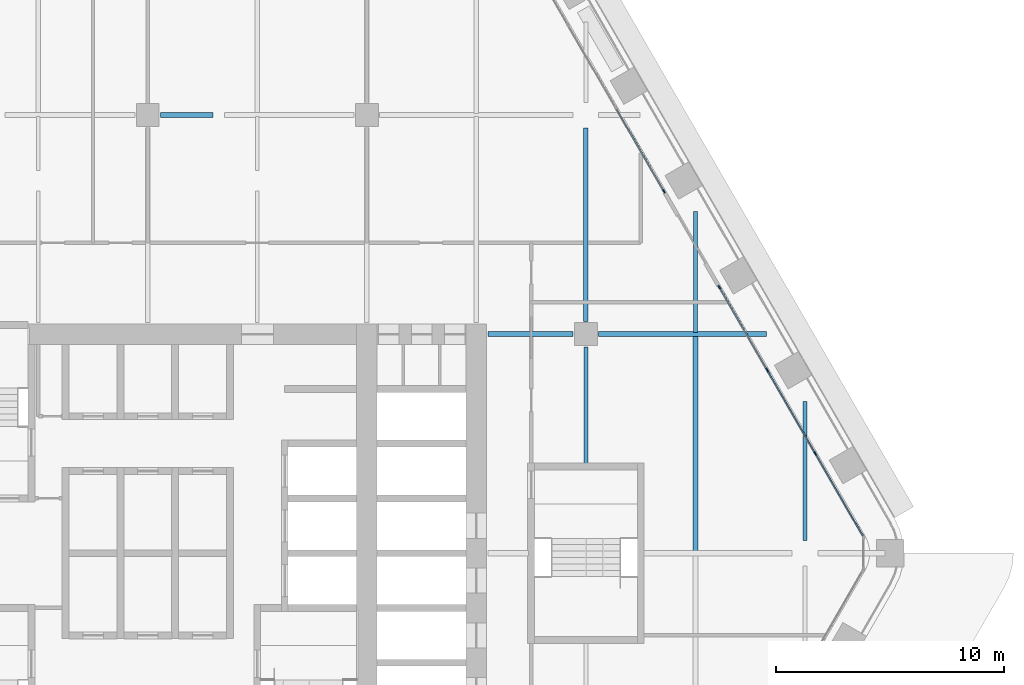
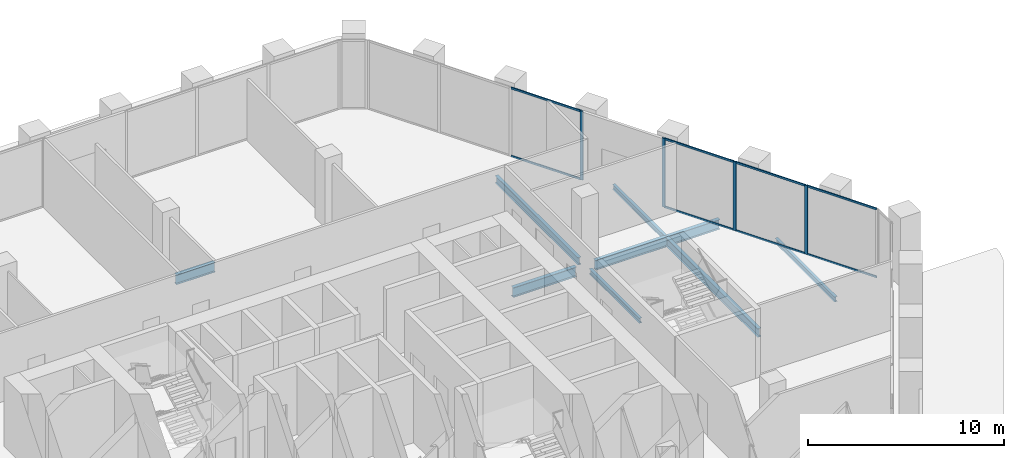
# One storey, part 8 of 23: 12 members, 8 beams, 2 elements without a shape of their own.
"""IFC4 building model written with IfcOpenShell, lengths in metres."""

from ifc_helpers import new_model, si_unit, direction, frame, origin, origin_2d, place, context, subcontext, project, spatial, rectangle, i_section, extrude, material, material_profile, profile_set, type_object, element, aggregate, save


model = new_model("IFC4")

# Units and contexts
model_context = context("Model", 3, precision=1e-05, world=origin(), true_north=direction((0.0, 1.0)))
body_context = subcontext(model_context, "Body", "Model", "MODEL_VIEW")
ifc_project = project(units=[si_unit("LENGTHUNIT", "METRE"), si_unit("AREAUNIT", "SQUARE_METRE"), si_unit("VOLUMEUNIT", "CUBIC_METRE"), si_unit("PLANEANGLEUNIT", "RADIAN"), si_unit("MASSUNIT", "GRAM", prefix="KILO")], contexts=[model_context])

# Site, building, storey
site_placement = place(None, origin())
site = spatial("IfcSite", under=ifc_project, at=site_placement, CompositionType="ELEMENT")
building_placement = place(site_placement, origin())
building = spatial("IfcBuilding", under=site, at=building_placement, Name="Kolab Exchange Tower", CompositionType="ELEMENT")
storey_placement = place(building_placement, frame((0.0, 0.0, 77.89990234375)))
storey = spatial("IfcBuildingStorey", under=building, at=storey_placement, Name="L14", CompositionType="ELEMENT", Elevation=77.89990234375)

# Beams
ifc_material_1 = material(Name="Steel S355", Category="steel")
ifc_material_profile_1 = material_profile(ifc_material_1, i_section(OverallWidth=0.1650390625, OverallDepth=0.31005859375, WebThickness=0.005859375, FlangeThickness=0.009765625, at=origin_2d()), Name="W310X39")
ifc_profile_set_1 = profile_set([ifc_material_profile_1], Name="Steel S355")
beam_type_1 = type_object("IfcBeamType", Name="FLOOR BEAM W310X39", PredefinedType="BEAM", material=ifc_profile_set_1)
beam_1_placement = place(storey_placement, frame((19.199951171875, 3.909912109375, -0.35498046875), z_axis=(0.0, 1.0, 0.0), x_axis=(-1.0, 0.0, 0.0)))
element("IfcBeam", 1, at=beam_1_placement, inside=storey, type_object=beam_type_1, Name="beam/L14/fr/051", PredefinedType="BEAM", context=body_context, shape_type="SweptSolid", body=[
    extrude(i_section(OverallWidth=0.1650390625, OverallDepth=0.31005859375, WebThickness=0.005859375, FlangeThickness=0.009765625, at=origin_2d()), origin(), (0.0, 0.0, 1.0), 5.130126953125),
])
beam_2_placement = place(storey_placement, frame((24.0, 9.674072265625, -0.35498046875), z_axis=(0.0, 1.0, 0.0), x_axis=(-1.0, 0.0, 0.0)))
element("IfcBeam", 2, at=beam_2_placement, inside=storey, type_object=beam_type_1, Name="beam/L14/fr/057", PredefinedType="BEAM", context=body_context, shape_type="SweptSolid", body=[
    extrude(i_section(OverallWidth=0.1650390625, OverallDepth=0.31005859375, WebThickness=0.005859375, FlangeThickness=0.009765625, at=origin_2d()), origin(), (0.0, 0.0, 1.0), 5.293701171875),
])
beam_3_placement = place(storey_placement, frame((28.800048828125, 0.56005859375, -0.35498046875), z_axis=(0.0, 1.0, 0.0), x_axis=(-1.0, 0.0, 0.0)))
element("IfcBeam", 3, at=beam_3_placement, inside=storey, type_object=beam_type_1, Name="beam/L14/fr/059", PredefinedType="BEAM", context=body_context, shape_type="SweptSolid", body=[
    extrude(i_section(OverallWidth=0.1650390625, OverallDepth=0.31005859375, WebThickness=0.005859375, FlangeThickness=0.009765625, at=origin_2d()), origin(), (0.0, 0.0, 1.0), 6.09375),
])
ifc_material_profile_2 = material_profile(ifc_material_1, i_section(OverallWidth=0.18994140625, OverallDepth=0.45703125, WebThickness=0.009033203125, FlangeThickness=0.014404296875, at=origin_2d()), Name="W460X74")
ifc_profile_set_2 = profile_set([ifc_material_profile_2], Name="Steel S355")
beam_type_2 = type_object("IfcBeamType", Name="FLOOR BEAM W460X74", PredefinedType="BEAM", material=ifc_profile_set_2)
beam_4_placement = place(storey_placement, frame((19.199951171875, 10.159912109375, -0.428466796875), z_axis=(0.0, 1.0, 0.0), x_axis=(-1.0, 0.0, 0.0)))
element("IfcBeam", 4, at=beam_4_placement, inside=storey, type_object=beam_type_2, Name="beam/L14/fr/052", PredefinedType="BEAM", context=body_context, shape_type="SweptSolid", body=[
    extrude(i_section(OverallWidth=0.18994140625, OverallDepth=0.45703125, WebThickness=0.009033203125, FlangeThickness=0.014404296875, at=origin_2d()), origin(), (0.0, 0.0, 1.0), 8.47998046875),
])
ifc_material_profile_3 = material_profile(ifc_material_1, i_section(OverallWidth=0.208984375, OverallDepth=0.532958984375, WebThickness=0.01025390625, FlangeThickness=0.015625, at=origin_2d()), Name="W530X92")
ifc_profile_set_3 = profile_set([ifc_material_profile_3], Name="Steel S355")
beam_type_3 = type_object("IfcBeamType", Name="FLOOR BEAM W530X92", PredefinedType="BEAM", material=ifc_profile_set_3)
beam_5_placement = place(storey_placement, frame((24.0, 0.073974609375, -0.46630859375), z_axis=(0.0, 1.0, 0.0), x_axis=(-1.0, 0.0, 0.0)))
element("IfcBeam", 5, at=beam_5_placement, inside=storey, type_object=beam_type_3, Name="beam/L14/fr/056", PredefinedType="BEAM", context=body_context, shape_type="SweptSolid", body=[
    extrude(i_section(OverallWidth=0.208984375, OverallDepth=0.532958984375, WebThickness=0.01025390625, FlangeThickness=0.015625, at=origin_2d()), origin(), (0.0, 0.0, 1.0), 9.451904296875),
])
ifc_material_profile_4 = material_profile(ifc_material_1, i_section(OverallWidth=0.22802734375, OverallDepth=0.60791015625, WebThickness=0.01123046875, FlangeThickness=0.017333984375, at=origin_2d()), Name="W610X113")
ifc_profile_set_4 = profile_set([ifc_material_profile_4], Name="Steel S355")
beam_type_4 = type_object("IfcBeamType", Name="FLOOR GIRDER W610X113", PredefinedType="BEAM", material=ifc_profile_set_4)
beam_6_placement = place(storey_placement, frame((0.56005859375, 19.199951171875, -0.50390625), z_axis=(1.0, 0.0, 0.0), x_axis=(0.0, 1.0, 0.0)))
element("IfcBeam", 6, at=beam_6_placement, inside=storey, type_object=beam_type_4, Name="beam/L14/gd/016", PredefinedType="BEAM", context=body_context, shape_type="SweptSolid", body=[
    extrude(i_section(OverallWidth=0.22802734375, OverallDepth=0.60791015625, WebThickness=0.01123046875, FlangeThickness=0.017333984375, at=origin_2d()), origin(), (0.0, 0.0, 1.0), 2.290283203125),
])
beam_7_placement = place(storey_placement, frame((14.909912109375, 9.60009765625, -0.50390625), z_axis=(1.0, 0.0, 0.0), x_axis=(0.0, 1.0, 0.0)))
element("IfcBeam", 7, at=beam_7_placement, inside=storey, type_object=beam_type_4, Name="beam/L14/gd/023", PredefinedType="BEAM", context=body_context, shape_type="SweptSolid", body=[
    extrude(i_section(OverallWidth=0.22802734375, OverallDepth=0.60791015625, WebThickness=0.01123046875, FlangeThickness=0.017333984375, at=origin_2d()), origin(), (0.0, 0.0, 1.0), 3.72998046875),
])
beam_8_placement = place(storey_placement, frame((19.760009765625, 9.60009765625, -0.50390625), z_axis=(1.0, 0.0, 0.0), x_axis=(0.0, 1.0, 0.0)))
element("IfcBeam", 8, at=beam_8_placement, inside=storey, type_object=beam_type_4, Name="beam/L14/gd/026", PredefinedType="BEAM", context=body_context, shape_type="SweptSolid", body=[
    extrude(i_section(OverallWidth=0.22802734375, OverallDepth=0.60791015625, WebThickness=0.01123046875, FlangeThickness=0.017333984375, at=origin_2d()), origin(), (0.0, 0.0, 1.0), 7.35595703125),
])

# Curtain wall, member
ifc_material_2 = material(Name="Aluminium EN AW-6063 T6", Category="aluminium")
curtain_wall_type = type_object("IfcCurtainWallType", Name="UNITISED LOWER MID ZONE CURTAIN WALL", PredefinedType="NOTDEFINED", material=ifc_material_2)
curtain_wall_1_placement = place(storey_placement, origin())
curtain_wall_1 = element("IfcCurtainWall", 9, at=curtain_wall_1_placement, inside=storey, type_object=curtain_wall_type, Name="cw/L14/F2-1", PredefinedType="NOTDEFINED")
ifc_material_profile_5 = material_profile(ifc_material_2, rectangle(XDim=0.06005859375, YDim=0.179931640625, at=origin_2d()), Name="RECT 60X180")
ifc_profile_set_5 = profile_set([ifc_material_profile_5], Name="Aluminium EN AW-6063 T6")
member_type_1 = type_object("IfcMemberType", Name="UNITISED LOWER MID ZONE MULLION 60 X 180", PredefinedType="MULLION", material=ifc_profile_set_5)
member_1_placement = place(storey_placement, frame((22.61669921875, 15.86376953125, 0.0), z_axis=(0.0, 0.0, 1.0), x_axis=(0.866025393644, 0.500000017564, 0.0)))
member_1 = element("IfcMember", 10, at=member_1_placement, type_object=member_type_1, Name="CW2 mullion 4", PredefinedType="MULLION", context=body_context, shape_type="SweptSolid", body=[
    extrude(rectangle(XDim=0.06005859375, YDim=0.179931640625, at=origin_2d()), origin(), (0.0, 0.0, 1.0), 4.300048828125),
])

# Curtain wall, members
curtain_wall_2_placement = place(storey_placement, origin())
curtain_wall_2 = element("IfcCurtainWall", 11, at=curtain_wall_2_placement, inside=storey, type_object=curtain_wall_type, Name="cw/L14/F2-2", PredefinedType="NOTDEFINED")
member_2_placement = place(storey_placement, frame((25.046630859375, 11.65478515625, 0.0), z_axis=(0.0, 0.0, 1.0), x_axis=(0.866025427826, 0.499999958358, 0.0)))
member_2 = element("IfcMember", 12, at=member_2_placement, type_object=member_type_1, Name="CW2 mullion 1", PredefinedType="MULLION", context=body_context, shape_type="SweptSolid", body=[
    extrude(rectangle(XDim=0.06005859375, YDim=0.179931640625, at=origin_2d()), origin(), (0.0, 0.0, 1.0), 4.300048828125),
])
member_3_placement = place(storey_placement, frame((27.14306640625, 8.02392578125, 0.0), z_axis=(0.0, 0.0, 1.0), x_axis=(0.866025427826, 0.499999958358, 0.0)))
member_3 = element("IfcMember", 13, at=member_3_placement, type_object=member_type_1, Name="CW2 mullion 2", PredefinedType="MULLION", context=body_context, shape_type="SweptSolid", body=[
    extrude(rectangle(XDim=0.06005859375, YDim=0.179931640625, at=origin_2d()), origin(), (0.0, 0.0, 1.0), 4.300048828125),
])
member_4_placement = place(storey_placement, frame((29.25439453125, 4.366943359375, 0.0), z_axis=(0.0, 0.0, 1.0), x_axis=(0.866025427826, 0.499999958358, 0.0)))
member_4 = element("IfcMember", 14, at=member_4_placement, type_object=member_type_1, Name="CW2 mullion 3", PredefinedType="MULLION", context=body_context, shape_type="SweptSolid", body=[
    extrude(rectangle(XDim=0.06005859375, YDim=0.179931640625, at=origin_2d()), origin(), (0.0, 0.0, 1.0), 4.300048828125),
])

# Member
ifc_material_profile_6 = material_profile(ifc_material_2, rectangle(XDim=0.06005859375, YDim=0.1201171875, at=origin_2d()), Name="RECT 60X120")
ifc_profile_set_6 = profile_set([ifc_material_profile_6], Name="Aluminium EN AW-6063 T6")
member_type_2 = type_object("IfcMemberType", Name="UNITISED LOWER MID ZONE TRANSOM 60 X 120", PredefinedType="USERDEFINED", material=ifc_profile_set_6)
member_5_placement = place(storey_placement, frame((20.535400390625, 19.46875, 0.030029296875), z_axis=(0.499957688808, -0.866049830784, 0.0), x_axis=(0.866049830784, 0.499957688808, 0.0)))
member_5 = element("IfcMember", 15, at=member_5_placement, type_object=member_type_2, Name="CW2 transom 3.1", ObjectType="TRANSOM", PredefinedType="USERDEFINED", context=body_context, shape_type="SweptSolid", body=[
    extrude(rectangle(XDim=0.06005859375, YDim=0.1201171875, at=origin_2d()), origin(), (0.0, 0.0, 1.0), 4.132568359375),
])

member_6_placement = place(storey_placement, frame((20.535400390625, 19.46875, 4.27001953125), z_axis=(0.499957688808, -0.866049830784, 0.0), x_axis=(0.866049830784, 0.499957688808, 0.0)))
member_6 = element("IfcMember", 16, at=member_6_placement, type_object=member_type_2, Name="CW2 transom 3.2", ObjectType="TRANSOM", PredefinedType="USERDEFINED", context=body_context, shape_type="SweptSolid", body=[
    extrude(rectangle(XDim=0.06005859375, YDim=0.1201171875, at=origin_2d()), origin(), (0.0, 0.0, 1.0), 4.132568359375),
])

aggregate(curtain_wall_1, [member_1, member_5, member_6])

member_7_placement = place(storey_placement, frame((25.061767578125, 11.62890625, 0.030029296875), z_axis=(0.499957688808, -0.866049830784, 0.0), x_axis=(0.866049830784, 0.499957688808, 0.0)))
member_7 = element("IfcMember", 17, at=member_7_placement, type_object=member_type_2, Name="CW2 transom 1.1", ObjectType="TRANSOM", PredefinedType="USERDEFINED", context=body_context, shape_type="SweptSolid", body=[
    extrude(rectangle(XDim=0.06005859375, YDim=0.1201171875, at=origin_2d()), origin(), (0.0, 0.0, 1.0), 4.132568359375),
])

member_8_placement = place(storey_placement, frame((25.061767578125, 11.62890625, 4.27001953125), z_axis=(0.499957688808, -0.866049830784, 0.0), x_axis=(0.866049830784, 0.499957688808, 0.0)))
member_8 = element("IfcMember", 18, at=member_8_placement, type_object=member_type_2, Name="CW2 transom 1.2", ObjectType="TRANSOM", PredefinedType="USERDEFINED", context=body_context, shape_type="SweptSolid", body=[
    extrude(rectangle(XDim=0.06005859375, YDim=0.1201171875, at=origin_2d()), origin(), (0.0, 0.0, 1.0), 4.132568359375),
])

member_9_placement = place(storey_placement, frame((27.157958984375, 7.997802734375, 0.030029296875), z_axis=(0.49999322259, -0.866029316688, 0.0), x_axis=(0.866029316688, 0.49999322259, 0.0)))
member_9 = element("IfcMember", 19, at=member_9_placement, type_object=member_type_2, Name="CW2 transom 2.1", ObjectType="TRANSOM", PredefinedType="USERDEFINED", context=body_context, shape_type="SweptSolid", body=[
    extrude(rectangle(XDim=0.06005859375, YDim=0.1201171875, at=origin_2d()), origin(), (0.0, 0.0, 1.0), 4.16259765625),
])

member_10_placement = place(storey_placement, frame((27.157958984375, 7.997802734375, 4.27001953125), z_axis=(0.49999322259, -0.866029316688, 0.0), x_axis=(0.866029316688, 0.49999322259, 0.0)))
member_10 = element("IfcMember", 20, at=member_10_placement, type_object=member_type_2, Name="CW2 transom 2.2", ObjectType="TRANSOM", PredefinedType="USERDEFINED", context=body_context, shape_type="SweptSolid", body=[
    extrude(rectangle(XDim=0.06005859375, YDim=0.1201171875, at=origin_2d()), origin(), (0.0, 0.0, 1.0), 4.16259765625),
])

member_11_placement = place(storey_placement, frame((29.269287109375, 4.3408203125, 0.030029296875), z_axis=(0.500027577057, -0.866009481578, 0.0), x_axis=(0.866009481578, 0.500027577057, 0.0)))
member_11 = element("IfcMember", 21, at=member_11_placement, type_object=member_type_2, Name="CW2 transom 3.1", ObjectType="TRANSOM", PredefinedType="USERDEFINED", context=body_context, shape_type="SweptSolid", body=[
    extrude(rectangle(XDim=0.06005859375, YDim=0.1201171875, at=origin_2d()), origin(), (0.0, 0.0, 1.0), 4.132568359375),
])

member_12_placement = place(storey_placement, frame((29.269287109375, 4.3408203125, 4.27001953125), z_axis=(0.500027577057, -0.866009481578, 0.0), x_axis=(0.866009481578, 0.500027577057, 0.0)))
member_12 = element("IfcMember", 22, at=member_12_placement, type_object=member_type_2, Name="CW2 transom 3.2", ObjectType="TRANSOM", PredefinedType="USERDEFINED", context=body_context, shape_type="SweptSolid", body=[
    extrude(rectangle(XDim=0.06005859375, YDim=0.1201171875, at=origin_2d()), origin(), (0.0, 0.0, 1.0), 4.132568359375),
])

aggregate(curtain_wall_2, [member_2, member_3, member_4, member_7, member_8, member_9, member_10, member_11, member_12])

save(model, "model.ifc")
